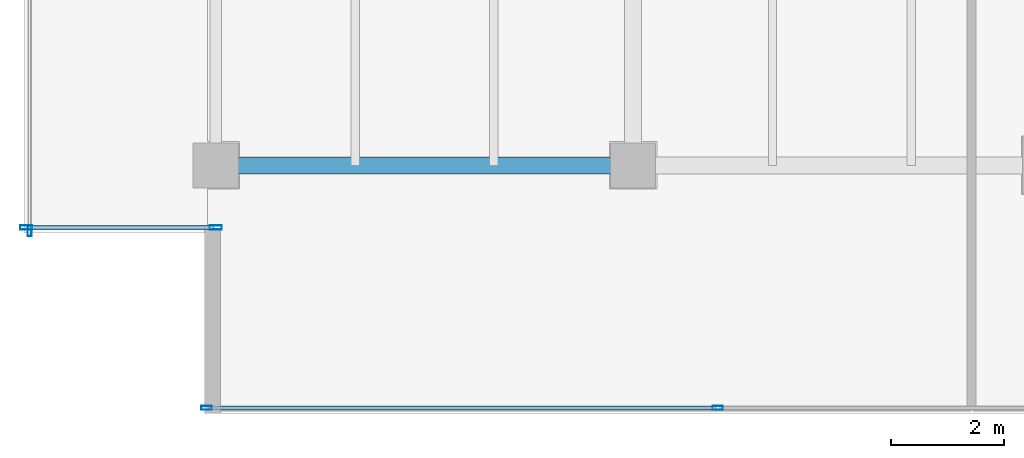
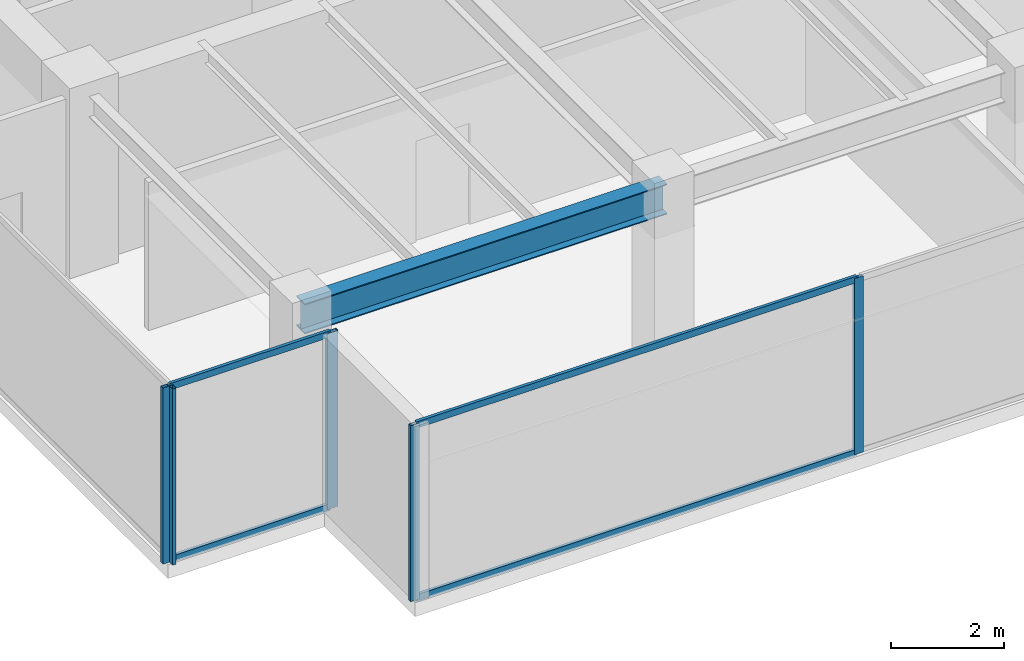
# One storey, part 5 of 35: 9 members, 1 beam, 3 elements without a shape of their own.
"""IFC4 building model written with IfcOpenShell, lengths in metres."""

from ifc_helpers import new_model, si_unit, direction, frame, origin, origin_2d, place, context, subcontext, project, spatial, hollow_rectangle, i_section, extrude, source, transform, mapped, material, layer, layer_set, material_profile, profile_set, type_object, type_shapes, element, aggregate, save


model = new_model("IFC4")

# Units and contexts
model_context = context("Model", 3, precision=1e-05, world=origin(), true_north=direction((0.0, 1.0)))
body_context = subcontext(model_context, "Body", "Model", "MODEL_VIEW")
ifc_project = project(units=[si_unit("LENGTHUNIT", "METRE"), si_unit("AREAUNIT", "SQUARE_METRE"), si_unit("VOLUMEUNIT", "CUBIC_METRE"), si_unit("PLANEANGLEUNIT", "RADIAN"), si_unit("MASSUNIT", "GRAM", prefix="KILO")], contexts=[model_context])

# Site, building, storey
site_placement = place(None, origin())
site = spatial("IfcSite", under=ifc_project, at=site_placement, CompositionType="ELEMENT")
building_placement = place(site_placement, origin())
building = spatial("IfcBuilding", under=site, at=building_placement, Name="Haelvirn Gate Laboratories", CompositionType="ELEMENT")
storey_placement = place(building_placement, frame((0.0, 0.0, 234.199951171875)))
storey = spatial("IfcBuildingStorey", under=building, at=storey_placement, Name="L56", CompositionType="ELEMENT", Elevation=234.199951171875)

# Beam
ifc_material_1 = material(Name="Steel SM355", Category="steel")
ifc_material_profile_1 = material_profile(ifc_material_1, i_section(OverallWidth=0.300048828125, OverallDepth=0.64990234375, WebThickness=0.012939453125, FlangeThickness=0.02197265625, at=origin_2d()), Name="H-650x300x13x22")
ifc_profile_set_1 = profile_set([ifc_material_profile_1], Name="Steel SM355")
beam_type = type_object("IfcBeamType", Name="BM-G-650", PredefinedType="BEAM", material=ifc_profile_set_1)
shared_shape_1 = source(origin(), body_context, "Body", "SweptSolid", [
    extrude(i_section(OverallWidth=0.300048828125, OverallDepth=0.64990234375, WebThickness=0.012939453125, FlangeThickness=0.02197265625, at=origin_2d()), origin(), (0.0, 0.0, 1.0), 7.400146484375),
])
type_shapes(beam_type, [shared_shape_1])
beam_placement = place(storey_placement, frame((7.39990234375, 7.0, 3.47509765625), z_axis=(1.0, 0.0, 0.0), x_axis=(0.0, 1.0, 0.0)))
element("IfcBeam", 1, at=beam_placement, inside=storey, type_object=beam_type, Name="L56 Primary Girder Y7.0 (7.4-14.8)", PredefinedType="BEAM", context=body_context, shape_type="MappedRepresentation", body=[
    mapped(shared_shape_1, transform((0.0, 0.0, 0.0), scale=1.0)),
])

# Curtain wall, members
ifc_material_2 = material(Name="Anodised bronze unitised aluminium & triple low-E glass", Category="aluminium")
ifc_layer_1 = layer(ifc_material_2, 0.181884765625, Name="CW-SYS-5")
ifc_layer_set_1 = layer_set([ifc_layer_1], Name="Anodised bronze unitised aluminium & triple low-E glass")
curtain_wall_type_1 = type_object("IfcCurtainWallType", Name="CW-SYS-5", PredefinedType="NOTDEFINED", material=ifc_layer_set_1)
curtain_wall_1_placement = place(storey_placement, origin())
curtain_wall_1 = element("IfcCurtainWall", 2, at=curtain_wall_1_placement, inside=storey, type_object=curtain_wall_type_1, Name="L56 Unitised Curtain Wall CW-L56-P0-E18-1", PredefinedType="NOTDEFINED")
ifc_material_3 = material(Name="Extruded aluminium 6063-T6 (anodised bronze)", Category="aluminium")
ifc_material_profile_2 = material_profile(ifc_material_3, hollow_rectangle(XDim=0.06494140625, YDim=0.139892578125, WallThickness=0.00390625, at=origin_2d()), Name="CWT-140x65x4")
ifc_profile_set_2 = profile_set([ifc_material_profile_2], Name="Extruded aluminium 6063-T6 (anodised bronze)")
member_type_1 = type_object("IfcMemberType", Name="CWT-T140", PredefinedType="USERDEFINED", material=ifc_profile_set_2)
shared_shape_2 = source(origin(), body_context, "Body", "SweptSolid", [
    extrude(hollow_rectangle(XDim=0.06494140625, YDim=0.139892578125, WallThickness=0.00390625, at=origin_2d()), origin(), (0.0, 0.0, 1.0), 3.280029296875),
])
member_1_placement = place(storey_placement, frame((4.080078125, 5.89990234375, 0.032470703125), z_axis=(1.0, 0.0, 0.0), x_axis=(0.0, 1.0, 0.0)))
member_1 = element("IfcMember", 3, at=member_1_placement, type_object=member_type_1, Name="CW5 transom 1.1", ObjectType="TRANSOM", PredefinedType="USERDEFINED", context=body_context, shape_type="MappedRepresentation", body=[
    mapped(shared_shape_2, transform((0.0, 0.0, 0.0), scale=1.0)),
])
member_2_placement = place(storey_placement, frame((4.080078125, 5.89990234375, 3.767578125), z_axis=(1.0, 0.0, 0.0), x_axis=(0.0, 1.0, 0.0)))
member_2 = element("IfcMember", 4, at=member_2_placement, type_object=member_type_1, Name="CW5 transom 1.2", ObjectType="TRANSOM", PredefinedType="USERDEFINED", context=body_context, shape_type="MappedRepresentation", body=[
    mapped(shared_shape_2, transform((0.0, 0.0, 0.0), scale=1.0)),
])

ifc_layer_2 = layer(ifc_material_2, 0.176025390625, Name="CW-SYS-4")
ifc_layer_set_2 = layer_set([ifc_layer_2], Name="Anodised bronze unitised aluminium & triple low-E glass")
curtain_wall_type_2 = type_object("IfcCurtainWallType", Name="CW-SYS-4", PredefinedType="NOTDEFINED", material=ifc_layer_set_2)
curtain_wall_2_placement = place(storey_placement, origin())
curtain_wall_2 = element("IfcCurtainWall", 5, at=curtain_wall_2_placement, inside=storey, type_object=curtain_wall_type_2, Name="L56 Unitised Curtain Wall CW-L56-P0-E00-1", PredefinedType="NOTDEFINED")
ifc_material_profile_3 = material_profile(ifc_material_3, hollow_rectangle(XDim=0.070068359375, YDim=0.179931640625, WallThickness=0.0048828125, at=origin_2d()), Name="CWM-180x70x5")
ifc_profile_set_3 = profile_set([ifc_material_profile_3], Name="Extruded aluminium 6063-T6 (anodised bronze)")
member_type_2 = type_object("IfcMemberType", Name="CWM-T180", PredefinedType="MULLION", material=ifc_profile_set_3)
shared_shape_3 = source(origin(), body_context, "Body", "SweptSolid", [
    extrude(hollow_rectangle(XDim=0.070068359375, YDim=0.179931640625, WallThickness=0.0048828125, at=origin_2d()), origin(), (0.0, 0.0, 1.0), 3.800048828125),
])
type_shapes(member_type_2, [shared_shape_3])
member_3_placement = place(storey_placement, frame((7.235107421875, 2.699951171875, 0.0), z_axis=(0.0, 0.0, 1.0), x_axis=(0.0, 1.0, 0.0)))
member_3 = element("IfcMember", 6, at=member_3_placement, type_object=member_type_2, Name="CW4 mullion 1", PredefinedType="MULLION", context=body_context, shape_type="MappedRepresentation", body=[
    mapped(shared_shape_3, transform((0.0, 0.0, 0.0), scale=1.0)),
])
member_4_placement = place(storey_placement, frame((16.300048828125, 2.699951171875, 0.0), z_axis=(0.0, 0.0, 1.0), x_axis=(0.0, 1.0, 0.0)))
member_4 = element("IfcMember", 7, at=member_4_placement, type_object=member_type_2, Name="CW4 mullion 2", PredefinedType="MULLION", context=body_context, shape_type="MappedRepresentation", body=[
    mapped(shared_shape_3, transform((0.0, 0.0, 0.0), scale=1.0)),
])

# Curtain wall, member
curtain_wall_3_placement = place(storey_placement, origin())
curtain_wall_3 = element("IfcCurtainWall", 8, at=curtain_wall_3_placement, inside=storey, type_object=curtain_wall_type_2, Name="L56 Unitised Curtain Wall CW-L56-P0-E17", PredefinedType="NOTDEFINED")
member_5_placement = place(storey_placement, frame((4.10009765625, 5.8349609375, 0.0), z_axis=(0.0, 0.0, 1.0), x_axis=(1.0, 0.0, 0.0)))
member_5 = element("IfcMember", 9, at=member_5_placement, type_object=member_type_2, Name="CW4 mullion 3", PredefinedType="MULLION", context=body_context, shape_type="MappedRepresentation", body=[
    mapped(shared_shape_3, transform((0.0, 0.0, 0.0), scale=1.0)),
])
aggregate(curtain_wall_3, [member_5])

# Member
shared_shape_4 = source(origin(), body_context, "Body", "SweptSolid", [
    extrude(hollow_rectangle(XDim=0.06494140625, YDim=0.139892578125, WallThickness=0.00390625, at=origin_2d()), origin(), (0.0, 0.0, 1.0), 8.994873046875),
])
type_shapes(member_type_1, [shared_shape_2, shared_shape_4])
member_6_placement = place(storey_placement, frame((7.27001953125, 2.699951171875, 0.032470703125), z_axis=(1.0, 0.0, 0.0), x_axis=(0.0, 1.0, 0.0)))
member_6 = element("IfcMember", 10, at=member_6_placement, type_object=member_type_1, Name="CW4 transom 1.1", ObjectType="TRANSOM", PredefinedType="USERDEFINED", context=body_context, shape_type="MappedRepresentation", body=[
    mapped(shared_shape_4, transform((0.0, 0.0, 0.0), scale=1.0)),
])

member_7_placement = place(storey_placement, frame((7.27001953125, 2.699951171875, 3.767578125), z_axis=(1.0, 0.0, 0.0), x_axis=(0.0, 1.0, 0.0)))
member_7 = element("IfcMember", 11, at=member_7_placement, type_object=member_type_1, Name="CW4 transom 1.2", ObjectType="TRANSOM", PredefinedType="USERDEFINED", context=body_context, shape_type="MappedRepresentation", body=[
    mapped(shared_shape_4, transform((0.0, 0.0, 0.0), scale=1.0)),
])

aggregate(curtain_wall_2, [member_3, member_4, member_6, member_7])

ifc_material_profile_4 = material_profile(ifc_material_3, hollow_rectangle(XDim=0.080078125, YDim=0.219970703125, WallThickness=0.006103515625, at=origin_2d()), Name="CWM-220x80x6")
ifc_profile_set_4 = profile_set([ifc_material_profile_4], Name="Extruded aluminium 6063-T6 (anodised bronze)")
member_type_3 = type_object("IfcMemberType", Name="CWM-T220", PredefinedType="MULLION", material=ifc_profile_set_4)
shared_shape_5 = source(origin(), body_context, "Body", "SweptSolid", [
    extrude(hollow_rectangle(XDim=0.080078125, YDim=0.219970703125, WallThickness=0.006103515625, at=origin_2d()), origin(), (0.0, 0.0, 1.0), 3.800048828125),
])
type_shapes(member_type_3, [shared_shape_5])
member_8_placement = place(storey_placement, frame((4.0400390625, 5.89990234375, 0.0), z_axis=(0.0, 0.0, 1.0), x_axis=(0.0, 1.0, 0.0)))
member_8 = element("IfcMember", 12, at=member_8_placement, type_object=member_type_3, Name="CW5 mullion 1", PredefinedType="MULLION", context=body_context, shape_type="MappedRepresentation", body=[
    mapped(shared_shape_5, transform((0.0, 0.0, 0.0), scale=1.0)),
])

member_9_placement = place(storey_placement, frame((7.39990234375, 5.89990234375, 0.0), z_axis=(0.0, 0.0, 1.0), x_axis=(0.0, 1.0, 0.0)))
member_9 = element("IfcMember", 13, at=member_9_placement, type_object=member_type_3, Name="CW5 mullion 2", PredefinedType="MULLION", context=body_context, shape_type="MappedRepresentation", body=[
    mapped(shared_shape_5, transform((0.0, 0.0, 0.0), scale=1.0)),
])

aggregate(curtain_wall_1, [member_8, member_9, member_1, member_2])

save(model, "model.ifc")
